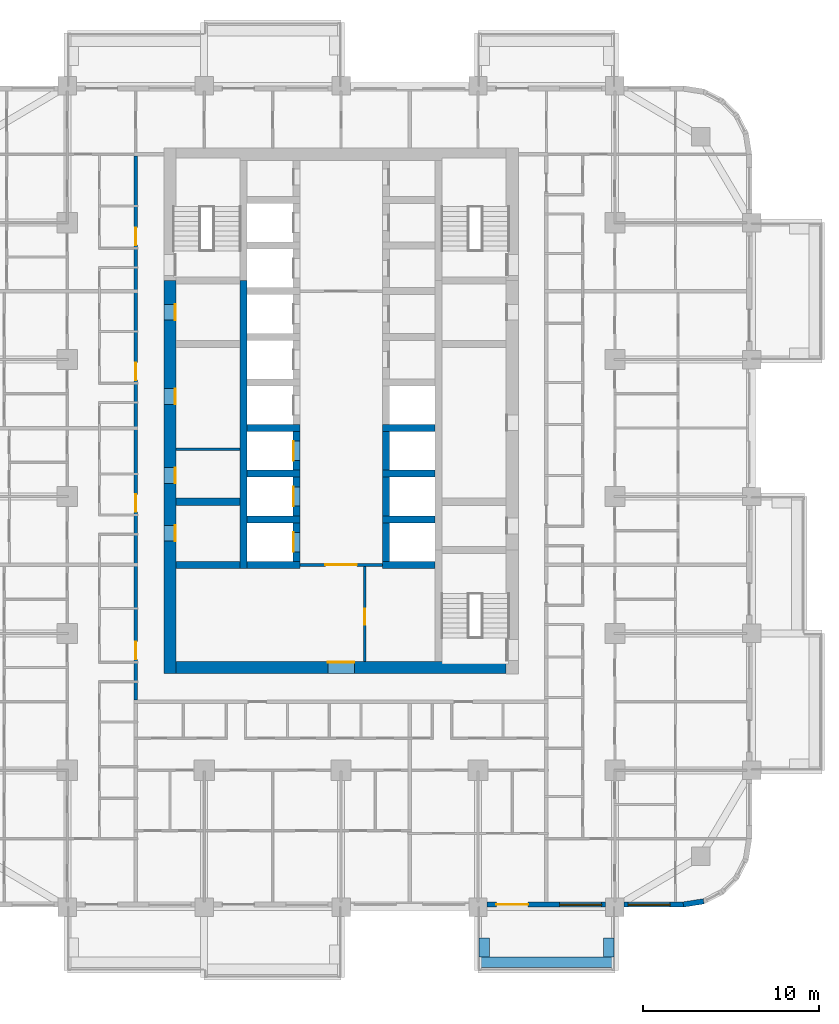
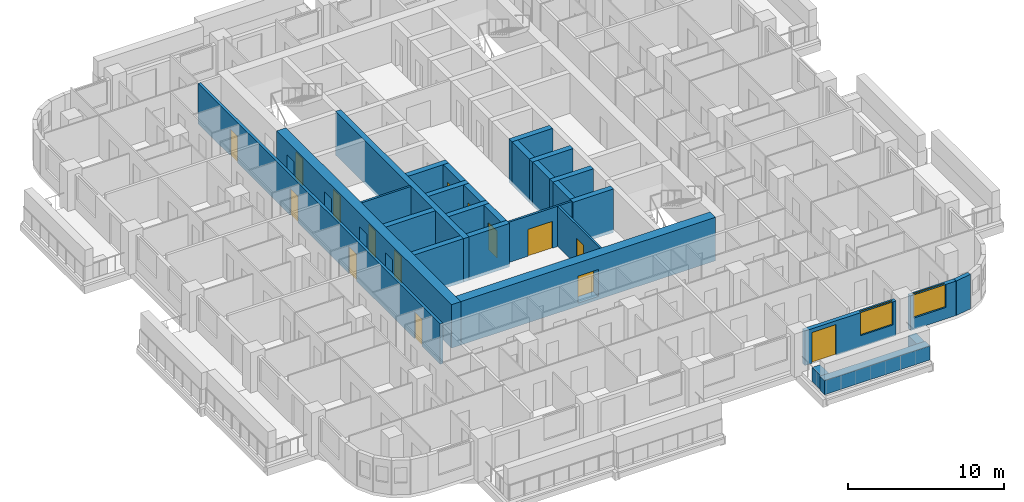
# One storey, part 6 of 17: 29 walls, 15 doors, 2 windows, 17 openings.
"""IFC4 building model written with IfcOpenShell, lengths in metres."""

from ifc_helpers import new_model, si_unit, direction, frame, frame_2d, origin, place, context, subcontext, project, spatial, rectangle, extrude, material, layer, layer_set, type_object, element, fill, save


model = new_model("IFC4")

# Units and contexts
model_context = context("Model", 3, precision=1e-05, world=origin(), true_north=direction((0.0, 1.0)))
body_context = subcontext(model_context, "Body", "Model", "MODEL_VIEW")
ifc_project = project(units=[si_unit("LENGTHUNIT", "METRE"), si_unit("AREAUNIT", "SQUARE_METRE"), si_unit("VOLUMEUNIT", "CUBIC_METRE"), si_unit("PLANEANGLEUNIT", "RADIAN"), si_unit("MASSUNIT", "GRAM", prefix="KILO")], contexts=[model_context])

# Site, building, storey
site_placement = place(None, origin())
site = spatial("IfcSite", under=ifc_project, at=site_placement, CompositionType="ELEMENT")
building_placement = place(site_placement, origin())
building = spatial("IfcBuilding", under=site, at=building_placement, Name="Ludao Terraces", CompositionType="ELEMENT")
storey_placement = place(building_placement, frame((0.0, 0.0, 19.5)))
storey = spatial("IfcBuildingStorey", under=building, at=storey_placement, Name="L04", CompositionType="ELEMENT", Elevation=19.5)

# Wall, openings, doors
ifc_material_1 = material(Name="Concrete C70", Category="concrete")
ifc_layer_1 = layer(ifc_material_1, 0.699951171875)
ifc_layer_set_1 = layer_set([ifc_layer_1], Name="Core wall 700 C70")
wall_type_1 = type_object("IfcWallType", Name="Core wall 700 C70", PredefinedType="SOLIDWALL", material=ifc_layer_set_1)
wall_1_placement = place(storey_placement, frame((75.25, 54.89990234375, -0.25), z_axis=(0.0, 0.0, 1.0), x_axis=(0.0, 1.0, 0.0)))
wall_1 = element("IfcWall", 1, at=wall_1_placement, inside=storey, type_object=wall_type_1, Name="Core wall L04 outer-W", PredefinedType="SOLIDWALL", context=body_context, shape_type="SweptSolid", body=[
    extrude(rectangle(XDim=22.400146484375, YDim=0.699951171875, at=frame_2d((11.2001953125, 0.0))), origin(), (0.0, 0.0, 1.0), 3.39990234375),
])
opening_1_placement = place(wall_1_placement, frame((7.550048828125, 0.0, 0.25)))
opening_1 = element("IfcOpeningElement", 2, at=opening_1_placement, cuts=wall_1, Name="Opening R01-075", PredefinedType="OPENING", context=body_context, shape_type="SweptSolid", body=[
    extrude(rectangle(XDim=0.89990234375, YDim=2.10009765625, at=frame_2d((0.449951171875, 1.050048828125))), frame((0.0, 0.35986328125, 0.0), z_axis=(0.0, -1.0, 0.0), x_axis=(1.0, 0.0, 0.0)), (0.0, 0.0, 1.0), 0.719970703125),
])
opening_2_placement = place(wall_1_placement, frame((10.85009765625, 0.0, 0.25)))
opening_2 = element("IfcOpeningElement", 3, at=opening_2_placement, cuts=wall_1, Name="Opening R01-087", PredefinedType="OPENING", context=body_context, shape_type="SweptSolid", body=[
    extrude(rectangle(XDim=0.89990234375, YDim=2.10009765625, at=frame_2d((0.449951171875, 1.050048828125))), frame((0.0, 0.35986328125, 0.0), z_axis=(0.0, -1.0, 0.0), x_axis=(1.0, 0.0, 0.0)), (0.0, 0.0, 1.0), 0.719970703125),
])
opening_3_placement = place(wall_1_placement, frame((15.35009765625, 0.0, 0.25)))
opening_3 = element("IfcOpeningElement", 4, at=opening_3_placement, cuts=wall_1, Name="Opening R01-101", PredefinedType="OPENING", context=body_context, shape_type="SweptSolid", body=[
    extrude(rectangle(XDim=0.89990234375, YDim=2.10009765625, at=frame_2d((0.449951171875, 1.050048828125))), frame((0.0, 0.35986328125, 0.0), z_axis=(0.0, -1.0, 0.0), x_axis=(1.0, 0.0, 0.0)), (0.0, 0.0, 1.0), 0.719970703125),
])
opening_4_placement = place(wall_1_placement, frame((20.14990234375, 0.0, 0.25)))
opening_4 = element("IfcOpeningElement", 5, at=opening_4_placement, cuts=wall_1, Name="Opening R01-117", PredefinedType="OPENING", context=body_context, shape_type="SweptSolid", body=[
    extrude(rectangle(XDim=0.89990234375, YDim=2.10009765625, at=frame_2d((0.449951171875, 1.050048828125))), frame((0.0, 0.35986328125, 0.0), z_axis=(0.0, -1.0, 0.0), x_axis=(1.0, 0.0, 0.0)), (0.0, 0.0, 1.0), 0.719970703125),
])
ifc_material_2 = material(Name="Steel Q235", Category="steel")
door_type_1 = type_object("IfcDoorType", Name="INT Riser door 900", OperationType="SINGLE_SWING_LEFT", PredefinedType="DOOR", material=ifc_material_2)
door_1_placement = place(opening_1_placement, origin())
door_1 = element("IfcDoor", 6, at=door_1_placement, inside=storey, type_object=door_type_1, Name="DOOR 075", OperationType="SINGLE_SWING_LEFT", OverallHeight=2.10009765625, OverallWidth=0.89990234375, PredefinedType="DOOR", context=body_context, shape_type="SweptSolid", body=[
    extrude(rectangle(XDim=0.89990234375, YDim=2.10009765625, at=frame_2d((0.449951171875, 1.050048828125))), frame((0.0, -0.28515625, 0.0), z_axis=(0.0, -1.0, 0.0), x_axis=(1.0, 0.0, 0.0)), (0.0, 0.0, 1.0), 0.050048828125),
])
fill(opening_1, door_1)
door_2_placement = place(opening_4_placement, origin())
door_2 = element("IfcDoor", 7, at=door_2_placement, inside=storey, type_object=door_type_1, Name="DOOR 117", OperationType="SINGLE_SWING_RIGHT", OverallHeight=2.10009765625, OverallWidth=0.89990234375, PredefinedType="DOOR", context=body_context, shape_type="SweptSolid", body=[
    extrude(rectangle(XDim=0.89990234375, YDim=2.10009765625, at=frame_2d((0.449951171875, 1.050048828125))), frame((0.0, -0.28515625, 0.0), z_axis=(0.0, -1.0, 0.0), x_axis=(1.0, 0.0, 0.0)), (0.0, 0.0, 1.0), 0.050048828125),
])
fill(opening_4, door_2)
ifc_material_3 = material(Name="Timber door leaf", Category="wood")
door_type_2 = type_object("IfcDoorType", Name="INT Room door 900", OperationType="SINGLE_SWING_LEFT", PredefinedType="DOOR", material=ifc_material_3)
door_3_placement = place(opening_2_placement, origin())
door_3 = element("IfcDoor", 8, at=door_3_placement, inside=storey, type_object=door_type_2, Name="DOOR 087", OperationType="SINGLE_SWING_RIGHT", OverallHeight=2.10009765625, OverallWidth=0.89990234375, PredefinedType="DOOR", context=body_context, shape_type="SweptSolid", body=[
    extrude(rectangle(XDim=0.89990234375, YDim=2.10009765625, at=frame_2d((0.449951171875, 1.050048828125))), frame((0.0, -0.28515625, 0.0), z_axis=(0.0, -1.0, 0.0), x_axis=(1.0, 0.0, 0.0)), (0.0, 0.0, 1.0), 0.050048828125),
])
fill(opening_2, door_3)
door_4_placement = place(opening_3_placement, origin())
door_4 = element("IfcDoor", 9, at=door_4_placement, inside=storey, type_object=door_type_2, Name="DOOR 101", OperationType="SINGLE_SWING_LEFT", OverallHeight=2.10009765625, OverallWidth=0.89990234375, PredefinedType="DOOR", context=body_context, shape_type="SweptSolid", body=[
    extrude(rectangle(XDim=0.89990234375, YDim=2.10009765625, at=frame_2d((0.449951171875, 1.050048828125))), frame((0.0, -0.28515625, 0.0), z_axis=(0.0, -1.0, 0.0), x_axis=(1.0, 0.0, 0.0)), (0.0, 0.0, 1.0), 0.050048828125),
])
fill(opening_3, door_4)

# Wall, opening, door
wall_2_placement = place(storey_placement, frame((75.60009765625, 55.25, -0.25), z_axis=(0.0, 0.0, 1.0), x_axis=(1.0, 0.0, 0.0)))
wall_2 = element("IfcWall", 10, at=wall_2_placement, inside=storey, type_object=wall_type_1, Name="Core wall L04 outer-S", PredefinedType="SOLIDWALL", context=body_context, shape_type="SweptSolid", body=[
    extrude(rectangle(XDim=18.7998046875, YDim=0.699951171875, at=frame_2d((9.39990234375, 0.0))), origin(), (0.0, 0.0, 1.0), 3.39990234375),
])
opening_5_placement = place(wall_2_placement, frame((8.64990234375, 0.0, 0.25)))
opening_5 = element("IfcOpeningElement", 11, at=opening_5_placement, cuts=wall_2, Name="Opening R01-051", PredefinedType="OPENING", context=body_context, shape_type="SweptSolid", body=[
    extrude(rectangle(XDim=1.5, YDim=2.10009765625, at=frame_2d((0.75, 1.050048828125))), frame((0.0, 0.35986328125, 0.0), z_axis=(0.0, -1.0, 0.0), x_axis=(1.0, 0.0, 0.0)), (0.0, 0.0, 1.0), 0.719970703125),
])
door_type_3 = type_object("IfcDoorType", Name="INT Lobby door 1500", OperationType="DOUBLE_DOOR_SINGLE_SWING", PredefinedType="DOOR", material=ifc_material_2)
door_5_placement = place(opening_5_placement, origin())
door_5 = element("IfcDoor", 12, at=door_5_placement, inside=storey, type_object=door_type_3, Name="DOOR 051", OperationType="DOUBLE_DOOR_SINGLE_SWING", OverallHeight=2.10009765625, OverallWidth=1.5, PredefinedType="DOOR", context=body_context, shape_type="SweptSolid", body=[
    extrude(rectangle(XDim=1.5, YDim=2.10009765625, at=frame_2d((0.75, 1.050048828125))), frame((0.0, 0.3349609375, 0.0), z_axis=(0.0, -1.0, 0.0), x_axis=(1.0, 0.0, 0.0)), (0.0, 0.0, 1.0), 0.050048828125),
])
fill(opening_5, door_5)

# Walls
ifc_material_4 = material(Name="Concrete C40", Category="concrete")
ifc_layer_2 = layer(ifc_material_4, 0.60009765625)
ifc_layer_set_2 = layer_set([ifc_layer_2], Name="ENV Planter trough 600")
wall_type_2 = type_object("IfcWallType", Name="ENV Planter trough 600", PredefinedType="USERDEFINED", material=ifc_layer_set_2)
wall_3_placement = place(storey_placement, frame((92.800048828125, 38.449951171875, 0.0), z_axis=(0.0, 0.0, 1.0), x_axis=(1.0, 0.0, 0.0)))
element("IfcWall", 13, at=wall_3_placement, inside=storey, type_object=wall_type_2, Name="PL-L04-S4", ObjectType="PLANTER", PredefinedType="USERDEFINED", context=body_context, shape_type="SweptSolid", body=[
    extrude(rectangle(XDim=7.800048828125, YDim=0.60009765625, at=frame_2d((3.89990234375, 0.0))), origin(), (0.0, 0.0, 1.0), 1.10009765625),
])
for number, where, z_axis, x_axis, name in (
    (14, (93.14990234375, 38.75, 0.0), (0.0, 0.0, 1.0), (0.0, 1.0, 0.0), "PL-L04-S4-SA"),
    (15, (100.25, 38.75, 0.0), (0.0, 0.0, 1.0), (0.0, 1.0, 0.0), "PL-L04-S4-SB"),
):
    element("IfcWall", number, at=place(storey_placement, frame(where, z_axis=z_axis, x_axis=x_axis)), inside=storey, type_object=wall_type_2, Name=name, ObjectType="PLANTER", PredefinedType="USERDEFINED", context=body_context, shape_type="SweptSolid", body=[
        extrude(rectangle(XDim=1.10009765625, YDim=0.60009765625, at=frame_2d((0.550048828125, 0.0))), origin(), (0.0, 0.0, 1.0), 1.10009765625),
    ])

# Wall, openings, door, window
ifc_material_5 = material(Name="Granite cladding", Category="masonry")
ifc_layer_3 = layer(ifc_material_5, 0.0400390625, Category="stone")
ifc_material_6 = material(Name="Mineral wool")
ifc_layer_4 = layer(ifc_material_6, 0.06005859375)
ifc_layer_5 = layer(ifc_material_4, 0.199951171875, Category="concrete")
ifc_layer_set_3 = layer_set([ifc_layer_3, ifc_layer_4, ifc_layer_5], Name="ENV Stone-clad wall 300")
wall_type_3 = type_object("IfcWallType", Name="ENV Stone-clad wall 300", PredefinedType="SOLIDWALL", material=ifc_layer_set_3)
wall_4_placement = place(storey_placement, frame((93.324951171875, 41.75, 0.0), z_axis=(0.0, 0.0, 1.0), x_axis=(1.0, 0.0, 0.0)))
wall_4 = element("IfcWall", 16, at=wall_4_placement, inside=storey, type_object=wall_type_3, Name="EW-L04-S5", PredefinedType="SOLIDWALL", context=body_context, shape_type="SweptSolid", body=[
    extrude(rectangle(XDim=6.75, YDim=0.300048828125, at=frame_2d((3.375, 0.0))), origin(), (0.0, 0.0, 1.0), 2.699951171875),
])
opening_6_placement = place(wall_4_placement, frame((0.52490234375, 0.0, 0.0)))
opening_6 = element("IfcOpeningElement", 17, at=opening_6_placement, cuts=wall_4, Name="Opening BD", PredefinedType="OPENING", context=body_context, shape_type="SweptSolid", body=[
    extrude(rectangle(XDim=1.800048828125, YDim=2.39990234375, at=frame_2d((0.89990234375, 1.199951171875))), frame((0.0, 0.16015625, 0.0), z_axis=(0.0, -1.0, 0.0), x_axis=(1.0, 0.0, 0.0)), (0.0, 0.0, 1.0), 0.320068359375),
])
opening_7_placement = place(wall_4_placement, frame((4.125, 0.0, 0.89990234375)))
opening_7 = element("IfcOpeningElement", 18, at=opening_7_placement, cuts=wall_4, Name="Opening W1", PredefinedType="OPENING", context=body_context, shape_type="SweptSolid", body=[
    extrude(rectangle(XDim=2.39990234375, YDim=1.800048828125, at=frame_2d((1.199951171875, 0.89990234375))), frame((0.0, 0.16015625, 0.0), z_axis=(0.0, -1.0, 0.0), x_axis=(1.0, 0.0, 0.0)), (0.0, 0.0, 1.0), 0.320068359375),
])
ifc_material_7 = material(Name="Aluminium glazed door", Category="aluminium")
ifc_layer_6 = layer(ifc_material_7, 0.06005859375)
ifc_layer_set_4 = layer_set([ifc_layer_6], Name="ENV Balcony door BD 1800x2400")
door_type_4 = type_object("IfcDoorType", Name="ENV Balcony door BD 1800x2400", OperationType="DOUBLE_DOOR_SINGLE_SWING", PredefinedType="DOOR", material=ifc_layer_set_4)
door_6_placement = place(opening_6_placement, origin())
door_6 = element("IfcDoor", 19, at=door_6_placement, inside=storey, type_object=door_type_4, Name="BD-L04-S5-1", OperationType="DOUBLE_DOOR_SINGLE_SWING", OverallHeight=2.39990234375, OverallWidth=1.800048828125, PredefinedType="DOOR", context=body_context, shape_type="SweptSolid", body=[
    extrude(rectangle(XDim=1.800048828125, YDim=2.39990234375, at=frame_2d((0.89990234375, 1.199951171875))), frame((0.0, 0.02490234375, 0.0), z_axis=(0.0, -1.0, 0.0), x_axis=(1.0, 0.0, 0.0)), (0.0, 0.0, 1.0), 0.050048828125),
])
fill(opening_6, door_6)
ifc_material_8 = material(Name="Clear glass in aluminium frame", Category="aluminium")
ifc_layer_7 = layer(ifc_material_8, 0.06005859375)
ifc_layer_set_5 = layer_set([ifc_layer_7], Name="ENV Window W1 2400x1800")
window_type = type_object("IfcWindowType", Name="ENV Window W1 2400x1800", PartitioningType="DOUBLE_PANEL_VERTICAL", PredefinedType="WINDOW", material=ifc_layer_set_5)
window_1_placement = place(opening_7_placement, origin())
window_1 = element("IfcWindow", 20, at=window_1_placement, inside=storey, type_object=window_type, Name="W-L04-S5-2", OverallHeight=1.800048828125, OverallWidth=2.39990234375, PartitioningType="DOUBLE_PANEL_VERTICAL", PredefinedType="WINDOW", context=body_context, shape_type="SweptSolid", body=[
    extrude(rectangle(XDim=2.39990234375, YDim=1.800048828125, at=frame_2d((1.199951171875, 0.89990234375))), frame((0.0, 0.030029296875, 0.0), z_axis=(0.0, -1.0, 0.0), x_axis=(1.0, 0.0, 0.0)), (0.0, 0.0, 1.0), 0.06005859375),
])
fill(opening_7, window_1)

# Wall, opening, window
wall_5_placement = place(storey_placement, frame((101.125, 41.75, 0.0), z_axis=(0.0, 0.0, 1.0), x_axis=(1.0, 0.0, 0.0)))
wall_5 = element("IfcWall", 21, at=wall_5_placement, inside=storey, type_object=wall_type_3, Name="EW-L04-S6", PredefinedType="SOLIDWALL", context=body_context, shape_type="SweptSolid", body=[
    extrude(rectangle(XDim=3.375, YDim=0.300048828125, at=frame_2d((1.6875, 0.0))), origin(), (0.0, 0.0, 1.0), 2.699951171875),
])
opening_8_placement = place(wall_5_placement, frame((0.22509765625, 0.0, 0.89990234375)))
opening_8 = element("IfcOpeningElement", 22, at=opening_8_placement, cuts=wall_5, Name="Opening W1", PredefinedType="OPENING", context=body_context, shape_type="SweptSolid", body=[
    extrude(rectangle(XDim=2.39990234375, YDim=1.800048828125, at=frame_2d((1.199951171875, 0.89990234375))), frame((0.0, 0.16015625, 0.0), z_axis=(0.0, -1.0, 0.0), x_axis=(1.0, 0.0, 0.0)), (0.0, 0.0, 1.0), 0.320068359375),
])
window_2_placement = place(opening_8_placement, origin())
window_2 = element("IfcWindow", 23, at=window_2_placement, inside=storey, type_object=window_type, Name="W-L04-S6-1", OverallHeight=1.800048828125, OverallWidth=2.39990234375, PartitioningType="DOUBLE_PANEL_VERTICAL", PredefinedType="WINDOW", context=body_context, shape_type="SweptSolid", body=[
    extrude(rectangle(XDim=2.39990234375, YDim=1.800048828125, at=frame_2d((1.199951171875, 0.89990234375))), frame((0.0, 0.030029296875, 0.0), z_axis=(0.0, -1.0, 0.0), x_axis=(1.0, 0.0, 0.0)), (0.0, 0.0, 1.0), 0.06005859375),
])
fill(opening_8, window_2)

# Wall
wall_6_placement = place(storey_placement, frame((104.5, 41.75, 0.0), z_axis=(0.0, 0.0, 1.0), x_axis=(0.987678452879, 0.156496880861, 0.0)))
element("IfcWall", 24, at=wall_6_placement, inside=storey, type_object=wall_type_3, Name="EW-L04-SE1", PredefinedType="SOLIDWALL", context=body_context, shape_type="SweptSolid", body=[
    extrude(rectangle(XDim=1.173095703125, YDim=0.300048828125, at=frame_2d((0.58642578125, 0.0))), origin(), (0.0, 0.0, 1.0), 2.699951171875),
])

# Wall, opening, door
ifc_material_9 = material(Name="Fire-rated gypsum plasterboard", Category="gypsum")
ifc_layer_8 = layer(ifc_material_9, 0.012451171875, Category="gypsum")
ifc_layer_9 = layer(ifc_material_6, 0.10009765625, Name="insulation")
ifc_layer_10 = layer(ifc_material_2, 0.02490234375, Name="stud")
ifc_layer_11 = layer(ifc_material_9, 0.012451171875, Category="gypsum")
ifc_layer_set_6 = layer_set([ifc_layer_8, ifc_layer_9, ifc_layer_10, ifc_layer_11], Name="INT Core partition 150")
wall_type_4 = type_object("IfcWallType", Name="INT Core partition 150", PredefinedType="PARTITIONING", material=ifc_layer_set_6)
wall_7_placement = place(storey_placement, frame((82.650146484375, 61.10009765625, 0.0), z_axis=(0.0, 0.0, 1.0), x_axis=(1.0, 0.0, 0.0)))
wall_7 = element("IfcWall", 25, at=wall_7_placement, inside=storey, type_object=wall_type_4, Name="PW-L04-PW032", PredefinedType="PARTITIONING", context=body_context, shape_type="SweptSolid", body=[
    extrude(rectangle(XDim=4.699951171875, YDim=0.14990234375, at=frame_2d((2.35009765625, 0.0))), origin(), (0.0, 0.0, 1.0), 3.14990234375),
])
opening_9_placement = place(wall_7_placement, frame((1.449951171875, 0.0, 0.0)))
opening_9 = element("IfcOpeningElement", 26, at=opening_9_placement, cuts=wall_7, Name="Opening R01-070", PredefinedType="OPENING", context=body_context, shape_type="SweptSolid", body=[
    extrude(rectangle(XDim=1.800048828125, YDim=2.10009765625, at=frame_2d((0.89990234375, 1.050048828125))), frame((0.0, 0.0849609375, 0.0), z_axis=(0.0, -1.0, 0.0), x_axis=(1.0, 0.0, 0.0)), (0.0, 0.0, 1.0), 0.169921875),
])
door_type_5 = type_object("IfcDoorType", Name="INT Fire lobby door 1800", OperationType="DOUBLE_DOOR_SINGLE_SWING", PredefinedType="DOOR", material=ifc_material_2)
door_7_placement = place(opening_9_placement, origin())
door_7 = element("IfcDoor", 27, at=door_7_placement, inside=storey, type_object=door_type_5, Name="DOOR 070", OperationType="DOUBLE_DOOR_SINGLE_SWING", OverallHeight=2.10009765625, OverallWidth=1.800048828125, PredefinedType="DOOR", context=body_context, shape_type="SweptSolid", body=[
    extrude(rectangle(XDim=1.800048828125, YDim=2.10009765625, at=frame_2d((0.89990234375, 1.050048828125))), frame((0.0, 0.02490234375, 0.0), z_axis=(0.0, -1.0, 0.0), x_axis=(1.0, 0.0, 0.0)), (0.0, 0.0, 1.0), 0.050048828125),
])
fill(opening_9, door_7)

# Wall
wall_8_placement = place(storey_placement, frame((75.60009765625, 67.699951171875, 0.0), z_axis=(0.0, 0.0, 1.0), x_axis=(1.0, 0.0, 0.0)))
element("IfcWall", 28, at=wall_8_placement, inside=storey, type_object=wall_type_4, Name="PW-L04-PW044", PredefinedType="PARTITIONING", context=body_context, shape_type="SweptSolid", body=[
    extrude(rectangle(XDim=3.64990234375, YDim=0.14990234375, at=frame_2d((1.824951171875, 0.0))), origin(), (0.0, 0.0, 1.0), 3.14990234375),
])

# Wall, opening, door
wall_9_placement = place(storey_placement, frame((86.35009765625, 55.60009765625, 0.0), z_axis=(0.0, 0.0, 1.0), x_axis=(0.0, 1.0, 0.0)))
wall_9 = element("IfcWall", 29, at=wall_9_placement, inside=storey, type_object=wall_type_4, Name="PW-L04-PW099", PredefinedType="PARTITIONING", context=body_context, shape_type="SweptSolid", body=[
    extrude(rectangle(XDim=5.425048828125, YDim=0.14990234375, at=frame_2d((2.71240234375, 0.0))), origin(), (0.0, 0.0, 1.0), 3.14990234375),
])
opening_10_placement = place(wall_9_placement, frame((2.10009765625, 0.0, 0.0)))
opening_10 = element("IfcOpeningElement", 30, at=opening_10_placement, cuts=wall_9, Name="Opening R01-060", PredefinedType="OPENING", context=body_context, shape_type="SweptSolid", body=[
    extrude(rectangle(XDim=0.89990234375, YDim=2.10009765625, at=frame_2d((0.449951171875, 1.050048828125))), frame((0.0, 0.0849609375, 0.0), z_axis=(0.0, -1.0, 0.0), x_axis=(1.0, 0.0, 0.0)), (0.0, 0.0, 1.0), 0.169921875),
])
door_8_placement = place(opening_10_placement, origin())
door_8 = element("IfcDoor", 31, at=door_8_placement, inside=storey, type_object=door_type_2, Name="DOOR 060", OperationType="SINGLE_SWING_RIGHT", OverallHeight=2.10009765625, OverallWidth=0.89990234375, PredefinedType="DOOR", context=body_context, shape_type="SweptSolid", body=[
    extrude(rectangle(XDim=0.89990234375, YDim=2.10009765625, at=frame_2d((0.449951171875, 1.050048828125))), frame((0.0, 0.02490234375, 0.0), z_axis=(0.0, -1.0, 0.0), x_axis=(1.0, 0.0, 0.0)), (0.0, 0.0, 1.0), 0.050048828125),
])
fill(opening_10, door_8)

# Wall, openings, doors
ifc_material_10 = material(Name="Autoclaved aerated concrete block B06 A3.5", Category="concrete")
ifc_layer_12 = layer(ifc_material_10, 0.199951171875)
ifc_layer_set_7 = layer_set([ifc_layer_12], Name="INT Entrance wall 200")
wall_type_5 = type_object("IfcWallType", Name="INT Entrance wall 200", PredefinedType="PARTITIONING", material=ifc_layer_set_7)
wall_10_placement = place(storey_placement, frame((73.300048828125, 53.400146484375, 0.0), z_axis=(0.0, 0.0, 1.0), x_axis=(0.0, 1.0, 0.0)))
wall_10 = element("IfcWall", 32, at=wall_10_placement, inside=storey, type_object=wall_type_5, Name="PW-L04-PW084", PredefinedType="PARTITIONING", context=body_context, shape_type="SweptSolid", body=[
    extrude(rectangle(XDim=31.0, YDim=0.199951171875, at=frame_2d((15.5, 0.0))), origin(), (0.0, 0.0, 1.0), 3.14990234375),
])
opening_11_placement = place(wall_10_placement, frame((2.324951171875, 0.0, 0.0)))
opening_11 = element("IfcOpeningElement", 33, at=opening_11_placement, cuts=wall_10, Name="Opening R01-056", PredefinedType="OPENING", context=body_context, shape_type="SweptSolid", body=[
    extrude(rectangle(XDim=1.0, YDim=2.10009765625, at=frame_2d((0.5, 1.050048828125))), frame((0.0, 0.10986328125, 0.0), z_axis=(0.0, -1.0, 0.0), x_axis=(1.0, 0.0, 0.0)), (0.0, 0.0, 1.0), 0.219970703125),
])
opening_12_placement = place(wall_10_placement, frame((10.72509765625, 0.0, 0.0)))
opening_12 = element("IfcOpeningElement", 34, at=opening_12_placement, cuts=wall_10, Name="Opening R01-082", PredefinedType="OPENING", context=body_context, shape_type="SweptSolid", body=[
    extrude(rectangle(XDim=1.0, YDim=2.10009765625, at=frame_2d((0.5, 1.050048828125))), frame((0.0, 0.10986328125, 0.0), z_axis=(0.0, -1.0, 0.0), x_axis=(1.0, 0.0, 0.0)), (0.0, 0.0, 1.0), 0.219970703125),
])
opening_13_placement = place(wall_10_placement, frame((18.22509765625, 0.0, 0.0)))
opening_13 = element("IfcOpeningElement", 35, at=opening_13_placement, cuts=wall_10, Name="Opening R01-106", PredefinedType="OPENING", context=body_context, shape_type="SweptSolid", body=[
    extrude(rectangle(XDim=1.0, YDim=2.10009765625, at=frame_2d((0.5, 1.050048828125))), frame((0.0, 0.10986328125, 0.0), z_axis=(0.0, -1.0, 0.0), x_axis=(1.0, 0.0, 0.0)), (0.0, 0.0, 1.0), 0.219970703125),
])
opening_14_placement = place(wall_10_placement, frame((25.925048828125, 0.0, 0.0)))
opening_14 = element("IfcOpeningElement", 36, at=opening_14_placement, cuts=wall_10, Name="Opening R01-133", PredefinedType="OPENING", context=body_context, shape_type="SweptSolid", body=[
    extrude(rectangle(XDim=1.0, YDim=2.10009765625, at=frame_2d((0.5, 1.050048828125))), frame((0.0, 0.10986328125, 0.0), z_axis=(0.0, -1.0, 0.0), x_axis=(1.0, 0.0, 0.0)), (0.0, 0.0, 1.0), 0.219970703125),
])
door_type_6 = type_object("IfcDoorType", Name="INT Flat entrance door 1000", OperationType="SINGLE_SWING_LEFT", PredefinedType="DOOR", material=ifc_material_2)
door_9_placement = place(opening_11_placement, origin())
door_9 = element("IfcDoor", 37, at=door_9_placement, inside=storey, type_object=door_type_6, Name="DOOR 056", OperationType="SINGLE_SWING_RIGHT", OverallHeight=2.10009765625, OverallWidth=1.0, PredefinedType="DOOR", context=body_context, shape_type="SweptSolid", body=[
    extrude(rectangle(XDim=1.0, YDim=2.10009765625, at=frame_2d((0.5, 1.050048828125))), frame((0.0, 0.02490234375, 0.0), z_axis=(0.0, -1.0, 0.0), x_axis=(1.0, 0.0, 0.0)), (0.0, 0.0, 1.0), 0.050048828125),
])
fill(opening_11, door_9)
door_10_placement = place(opening_12_placement, origin())
door_10 = element("IfcDoor", 38, at=door_10_placement, inside=storey, type_object=door_type_6, Name="DOOR 082", OperationType="SINGLE_SWING_RIGHT", OverallHeight=2.10009765625, OverallWidth=1.0, PredefinedType="DOOR", context=body_context, shape_type="SweptSolid", body=[
    extrude(rectangle(XDim=1.0, YDim=2.10009765625, at=frame_2d((0.5, 1.050048828125))), frame((0.0, 0.02490234375, 0.0), z_axis=(0.0, -1.0, 0.0), x_axis=(1.0, 0.0, 0.0)), (0.0, 0.0, 1.0), 0.050048828125),
])
fill(opening_12, door_10)
door_11_placement = place(opening_13_placement, origin())
door_11 = element("IfcDoor", 39, at=door_11_placement, inside=storey, type_object=door_type_6, Name="DOOR 106", OperationType="SINGLE_SWING_RIGHT", OverallHeight=2.10009765625, OverallWidth=1.0, PredefinedType="DOOR", context=body_context, shape_type="SweptSolid", body=[
    extrude(rectangle(XDim=1.0, YDim=2.10009765625, at=frame_2d((0.5, 1.050048828125))), frame((0.0, 0.02490234375, 0.0), z_axis=(0.0, -1.0, 0.0), x_axis=(1.0, 0.0, 0.0)), (0.0, 0.0, 1.0), 0.050048828125),
])
fill(opening_13, door_11)
door_12_placement = place(opening_14_placement, origin())
door_12 = element("IfcDoor", 40, at=door_12_placement, inside=storey, type_object=door_type_6, Name="DOOR 133", OperationType="SINGLE_SWING_RIGHT", OverallHeight=2.10009765625, OverallWidth=1.0, PredefinedType="DOOR", context=body_context, shape_type="SweptSolid", body=[
    extrude(rectangle(XDim=1.0, YDim=2.10009765625, at=frame_2d((0.5, 1.050048828125))), frame((0.0, 0.02490234375, 0.0), z_axis=(0.0, -1.0, 0.0), x_axis=(1.0, 0.0, 0.0)), (0.0, 0.0, 1.0), 0.050048828125),
])
fill(opening_14, door_12)

# Walls
ifc_material_11 = material(Name="Concrete C60", Category="concrete")
ifc_layer_13 = layer(ifc_material_11, 0.39990234375)
ifc_layer_set_8 = layer_set([ifc_layer_13], Name="Shaft wall 400 C60")
wall_type_6 = type_object("IfcWallType", Name="Shaft wall 400 C60", PredefinedType="SOLIDWALL", material=ifc_layer_set_8)
wall_11_placement = place(storey_placement, frame((79.449951171875, 60.89990234375, -0.25), z_axis=(0.0, 0.0, 1.0), x_axis=(0.0, 1.0, 0.0)))
element("IfcWall", 41, at=wall_11_placement, inside=storey, type_object=wall_type_6, Name="Core wall L04 back-W", PredefinedType="SOLIDWALL", context=body_context, shape_type="SweptSolid", body=[
    extrude(rectangle(XDim=16.400146484375, YDim=0.39990234375, at=frame_2d((8.2001953125, 0.0))), origin(), (0.0, 0.0, 1.0), 3.39990234375),
])
wall_12_placement = place(storey_placement, frame((79.64990234375, 61.10009765625, -0.25), z_axis=(0.0, 0.0, 1.0), x_axis=(1.0, 0.0, 0.0)))
element("IfcWall", 42, at=wall_12_placement, inside=storey, type_object=wall_type_6, Name="Core wall L04 div-W1", PredefinedType="SOLIDWALL", context=body_context, shape_type="SweptSolid", body=[
    extrude(rectangle(XDim=3.0, YDim=0.39990234375, at=frame_2d((1.5, 0.0))), origin(), (0.0, 0.0, 1.0), 3.39990234375),
])

# Wall, opening, door
wall_13_placement = place(storey_placement, frame((82.449951171875, 61.300048828125, -0.25), z_axis=(0.0, 0.0, 1.0), x_axis=(0.0, 1.0, 0.0)))
wall_13 = element("IfcWall", 43, at=wall_13_placement, inside=storey, type_object=wall_type_6, Name="Core wall L04 front-W1", PredefinedType="SOLIDWALL", context=body_context, shape_type="SweptSolid", body=[
    extrude(rectangle(XDim=2.199951171875, YDim=0.39990234375, at=frame_2d((1.10009765625, 0.0))), origin(), (0.0, 0.0, 1.0), 3.39990234375),
])
opening_15_placement = place(wall_13_placement, frame((0.550048828125, 0.0, 0.25)))
opening_15 = element("IfcOpeningElement", 44, at=opening_15_placement, cuts=wall_13, Name="Opening LD-LA1", PredefinedType="OPENING", context=body_context, shape_type="SweptSolid", body=[
    extrude(rectangle(XDim=1.10009765625, YDim=2.10009765625, at=frame_2d((0.550048828125, 1.050048828125))), frame((0.0, 0.2099609375, 0.0), z_axis=(0.0, -1.0, 0.0), x_axis=(1.0, 0.0, 0.0)), (0.0, 0.0, 1.0), 0.419921875),
])
ifc_material_12 = material(Name="Stainless steel 304", Category="steel")
door_type_7 = type_object("IfcDoorType", Name="INT Lift landing door 1100", OperationType="SLIDING_TO_LEFT", PredefinedType="DOOR", material=ifc_material_12)
door_13_placement = place(opening_15_placement, origin())
door_13 = element("IfcDoor", 45, at=door_13_placement, inside=storey, type_object=door_type_7, Name="LANDING DOOR LA1 L04", OperationType="SLIDING_TO_RIGHT", OverallHeight=2.10009765625, OverallWidth=1.10009765625, PredefinedType="DOOR", context=body_context, shape_type="SweptSolid", body=[
    extrude(rectangle(XDim=1.10009765625, YDim=2.10009765625, at=frame_2d((0.550048828125, 1.050048828125))), frame((0.0, 0.18505859375, 0.0), z_axis=(0.0, -1.0, 0.0), x_axis=(1.0, 0.0, 0.0)), (0.0, 0.0, 1.0), 0.050048828125),
])
fill(opening_15, door_13)

# Wall
wall_14_placement = place(storey_placement, frame((79.64990234375, 63.699951171875, -0.25), z_axis=(0.0, 0.0, 1.0), x_axis=(1.0, 0.0, 0.0)))
element("IfcWall", 46, at=wall_14_placement, inside=storey, type_object=wall_type_6, Name="Core wall L04 div-W2", PredefinedType="SOLIDWALL", context=body_context, shape_type="SweptSolid", body=[
    extrude(rectangle(XDim=3.0, YDim=0.39990234375, at=frame_2d((1.5, 0.0))), origin(), (0.0, 0.0, 1.0), 3.39990234375),
])

# Wall, opening, door
wall_15_placement = place(storey_placement, frame((82.449951171875, 63.89990234375, -0.25), z_axis=(0.0, 0.0, 1.0), x_axis=(0.0, 1.0, 0.0)))
wall_15 = element("IfcWall", 47, at=wall_15_placement, inside=storey, type_object=wall_type_6, Name="Core wall L04 front-W2", PredefinedType="SOLIDWALL", context=body_context, shape_type="SweptSolid", body=[
    extrude(rectangle(XDim=2.2001953125, YDim=0.39990234375, at=frame_2d((1.10009765625, 0.0))), origin(), (0.0, 0.0, 1.0), 3.39990234375),
])
opening_16_placement = place(wall_15_placement, frame((0.550048828125, 0.0, 0.25)))
opening_16 = element("IfcOpeningElement", 48, at=opening_16_placement, cuts=wall_15, Name="Opening LD-LA2", PredefinedType="OPENING", context=body_context, shape_type="SweptSolid", body=[
    extrude(rectangle(XDim=1.10009765625, YDim=2.10009765625, at=frame_2d((0.550048828125, 1.050048828125))), frame((0.0, 0.2099609375, 0.0), z_axis=(0.0, -1.0, 0.0), x_axis=(1.0, 0.0, 0.0)), (0.0, 0.0, 1.0), 0.419921875),
])
door_14_placement = place(opening_16_placement, origin())
door_14 = element("IfcDoor", 49, at=door_14_placement, inside=storey, type_object=door_type_7, Name="LANDING DOOR LA2 L04", OperationType="SLIDING_TO_RIGHT", OverallHeight=2.10009765625, OverallWidth=1.10009765625, PredefinedType="DOOR", context=body_context, shape_type="SweptSolid", body=[
    extrude(rectangle(XDim=1.10009765625, YDim=2.10009765625, at=frame_2d((0.550048828125, 1.050048828125))), frame((0.0, 0.18505859375, 0.0), z_axis=(0.0, -1.0, 0.0), x_axis=(1.0, 0.0, 0.0)), (0.0, 0.0, 1.0), 0.050048828125),
])
fill(opening_16, door_14)

# Wall
wall_16_placement = place(storey_placement, frame((79.64990234375, 66.300048828125, -0.25), z_axis=(0.0, 0.0, 1.0), x_axis=(1.0, 0.0, 0.0)))
element("IfcWall", 50, at=wall_16_placement, inside=storey, type_object=wall_type_6, Name="Core wall L04 div-W3", PredefinedType="SOLIDWALL", context=body_context, shape_type="SweptSolid", body=[
    extrude(rectangle(XDim=3.0, YDim=0.39990234375, at=frame_2d((1.5, 0.0))), origin(), (0.0, 0.0, 1.0), 3.39990234375),
])

# Wall, opening, door
wall_17_placement = place(storey_placement, frame((82.449951171875, 66.5, -0.25), z_axis=(0.0, 0.0, 1.0), x_axis=(0.0, 1.0, 0.0)))
wall_17 = element("IfcWall", 51, at=wall_17_placement, inside=storey, type_object=wall_type_6, Name="Core wall L04 front-W3", PredefinedType="SOLIDWALL", context=body_context, shape_type="SweptSolid", body=[
    extrude(rectangle(XDim=2.199951171875, YDim=0.39990234375, at=frame_2d((1.10009765625, 0.0))), origin(), (0.0, 0.0, 1.0), 3.39990234375),
])
opening_17_placement = place(wall_17_placement, frame((0.550048828125, 0.0, 0.25)))
opening_17 = element("IfcOpeningElement", 52, at=opening_17_placement, cuts=wall_17, Name="Opening LD-LA3", PredefinedType="OPENING", context=body_context, shape_type="SweptSolid", body=[
    extrude(rectangle(XDim=1.10009765625, YDim=2.10009765625, at=frame_2d((0.550048828125, 1.050048828125))), frame((0.0, 0.2099609375, 0.0), z_axis=(0.0, -1.0, 0.0), x_axis=(1.0, 0.0, 0.0)), (0.0, 0.0, 1.0), 0.419921875),
])
door_15_placement = place(opening_17_placement, origin())
door_15 = element("IfcDoor", 53, at=door_15_placement, inside=storey, type_object=door_type_7, Name="LANDING DOOR LA3 L04", OperationType="SLIDING_TO_RIGHT", OverallHeight=2.10009765625, OverallWidth=1.10009765625, PredefinedType="DOOR", context=body_context, shape_type="SweptSolid", body=[
    extrude(rectangle(XDim=1.10009765625, YDim=2.10009765625, at=frame_2d((0.550048828125, 1.050048828125))), frame((0.0, 0.18505859375, 0.0), z_axis=(0.0, -1.0, 0.0), x_axis=(1.0, 0.0, 0.0)), (0.0, 0.0, 1.0), 0.050048828125),
])
fill(opening_17, door_15)

# Walls
for number, where, z_axis, x_axis, name in (
    (54, (79.64990234375, 68.89990234375, -0.25), (0.0, 0.0, 1.0), (1.0, 0.0, 0.0), "Core wall L04 div-W4"),
    (55, (87.35009765625, 61.10009765625, -0.25), (0.0, 0.0, 1.0), (1.0, 0.0, 0.0), "Core wall L04 div-E1"),
):
    element("IfcWall", number, at=place(storey_placement, frame(where, z_axis=z_axis, x_axis=x_axis)), inside=storey, type_object=wall_type_6, Name=name, PredefinedType="SOLIDWALL", context=body_context, shape_type="SweptSolid", body=[
        extrude(rectangle(XDim=3.0, YDim=0.39990234375, at=frame_2d((1.5, 0.0))), origin(), (0.0, 0.0, 1.0), 3.39990234375),
    ])
wall_18_placement = place(storey_placement, frame((87.550048828125, 61.300048828125, -0.25), z_axis=(0.0, 0.0, 1.0), x_axis=(0.0, 1.0, 0.0)))
element("IfcWall", 56, at=wall_18_placement, inside=storey, type_object=wall_type_6, Name="Core wall L04 front-E1", PredefinedType="SOLIDWALL", context=body_context, shape_type="SweptSolid", body=[
    extrude(rectangle(XDim=2.199951171875, YDim=0.39990234375, at=frame_2d((1.10009765625, 0.0))), origin(), (0.0, 0.0, 1.0), 3.39990234375),
])
wall_19_placement = place(storey_placement, frame((87.35009765625, 63.699951171875, -0.25), z_axis=(0.0, 0.0, 1.0), x_axis=(1.0, 0.0, 0.0)))
element("IfcWall", 57, at=wall_19_placement, inside=storey, type_object=wall_type_6, Name="Core wall L04 div-E2", PredefinedType="SOLIDWALL", context=body_context, shape_type="SweptSolid", body=[
    extrude(rectangle(XDim=3.0, YDim=0.39990234375, at=frame_2d((1.5, 0.0))), origin(), (0.0, 0.0, 1.0), 3.39990234375),
])
wall_20_placement = place(storey_placement, frame((87.550048828125, 63.89990234375, -0.25), z_axis=(0.0, 0.0, 1.0), x_axis=(0.0, 1.0, 0.0)))
element("IfcWall", 58, at=wall_20_placement, inside=storey, type_object=wall_type_6, Name="Core wall L04 front-E2", PredefinedType="SOLIDWALL", context=body_context, shape_type="SweptSolid", body=[
    extrude(rectangle(XDim=2.2001953125, YDim=0.39990234375, at=frame_2d((1.10009765625, 0.0))), origin(), (0.0, 0.0, 1.0), 3.39990234375),
])
wall_21_placement = place(storey_placement, frame((87.35009765625, 66.300048828125, -0.25), z_axis=(0.0, 0.0, 1.0), x_axis=(1.0, 0.0, 0.0)))
element("IfcWall", 59, at=wall_21_placement, inside=storey, type_object=wall_type_6, Name="Core wall L04 div-E3", PredefinedType="SOLIDWALL", context=body_context, shape_type="SweptSolid", body=[
    extrude(rectangle(XDim=3.0, YDim=0.39990234375, at=frame_2d((1.5, 0.0))), origin(), (0.0, 0.0, 1.0), 3.39990234375),
])
wall_22_placement = place(storey_placement, frame((87.550048828125, 66.5, -0.25), z_axis=(0.0, 0.0, 1.0), x_axis=(0.0, 1.0, 0.0)))
element("IfcWall", 60, at=wall_22_placement, inside=storey, type_object=wall_type_6, Name="Core wall L04 front-E3", PredefinedType="SOLIDWALL", context=body_context, shape_type="SweptSolid", body=[
    extrude(rectangle(XDim=2.199951171875, YDim=0.39990234375, at=frame_2d((1.10009765625, 0.0))), origin(), (0.0, 0.0, 1.0), 3.39990234375),
])
wall_23_placement = place(storey_placement, frame((87.35009765625, 68.89990234375, -0.25), z_axis=(0.0, 0.0, 1.0), x_axis=(1.0, 0.0, 0.0)))
element("IfcWall", 61, at=wall_23_placement, inside=storey, type_object=wall_type_6, Name="Core wall L04 div-E4", PredefinedType="SOLIDWALL", context=body_context, shape_type="SweptSolid", body=[
    extrude(rectangle(XDim=3.0, YDim=0.39990234375, at=frame_2d((1.5, 0.0))), origin(), (0.0, 0.0, 1.0), 3.39990234375),
])
for number, where, z_axis, x_axis, name in (
    (62, (75.60009765625, 61.10009765625, -0.25), (0.0, 0.0, 1.0), (1.0, 0.0, 0.0), "Core wall L04 hall-W"),
    (63, (75.60009765625, 64.699951171875, -0.25), (0.0, 0.0, 1.0), (1.0, 0.0, 0.0), "Core wall L04 riser-a-W"),
):
    element("IfcWall", number, at=place(storey_placement, frame(where, z_axis=z_axis, x_axis=x_axis)), inside=storey, type_object=wall_type_6, Name=name, PredefinedType="SOLIDWALL", context=body_context, shape_type="SweptSolid", body=[
        extrude(rectangle(XDim=3.64990234375, YDim=0.39990234375, at=frame_2d((1.824951171875, 0.0))), origin(), (0.0, 0.0, 1.0), 3.39990234375),
    ])

save(model, "model.ifc")
